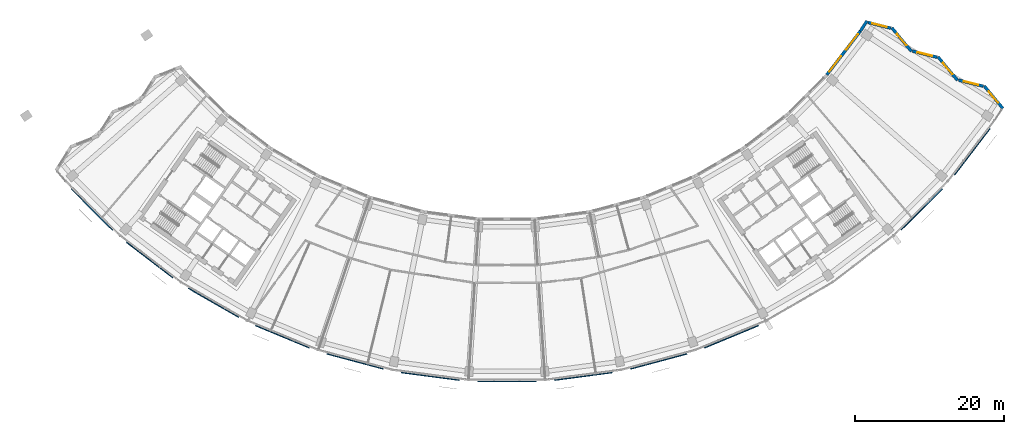
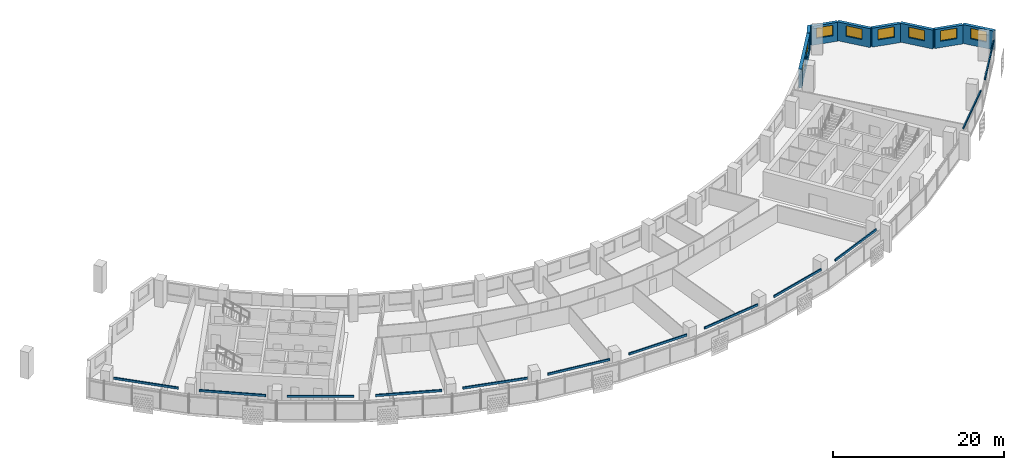
# One storey, part 8 of 26: 12 discrete accessories, 8 walls, 8 windows, 8 openings.
"""IFC4 building model written with IfcOpenShell, lengths in metres."""

from ifc_helpers import new_model, si_unit, direction, frame, frame_2d, origin, origin_2d, place, context, subcontext, project, spatial, rectangle, extrude, material, layer, layer_set, type_object, element, fill, save


model = new_model("IFC4")

# Units and contexts
model_context = context("Model", 3, precision=1e-05, world=origin(), true_north=direction((0.0, 1.0)))
body_context = subcontext(model_context, "Body", "Model", "MODEL_VIEW")
ifc_project = project(units=[si_unit("LENGTHUNIT", "METRE"), si_unit("AREAUNIT", "SQUARE_METRE"), si_unit("VOLUMEUNIT", "CUBIC_METRE"), si_unit("PLANEANGLEUNIT", "RADIAN"), si_unit("MASSUNIT", "GRAM", prefix="KILO")], contexts=[model_context])

# Site, building, storey
site_placement = place(None, origin())
site = spatial("IfcSite", under=ifc_project, at=site_placement, CompositionType="ELEMENT")
building_placement = place(site_placement, origin())
building = spatial("IfcBuilding", under=site, at=building_placement, Name="Qamariyya Broadcast Tower", CompositionType="ELEMENT")
storey_placement = place(building_placement, frame((0.0, 0.0, 160.699951171875)))
storey = spatial("IfcBuildingStorey", under=building, at=storey_placement, Name="L37", CompositionType="ELEMENT", Elevation=160.699951171875)

# Wall, opening, window
ifc_material_1 = material(Name="Terracotta", Category="masonry")
ifc_layer = layer(ifc_material_1, 0.39990234375)
ifc_layer_set = layer_set([ifc_layer], Name="Terracotta clad wall 400")
wall_type = type_object("IfcWallType", Name="Terracotta clad wall 400", PredefinedType="SOLIDWALL", material=ifc_layer_set)
wall_1_placement = place(storey_placement, frame((66.716796875, -42.191162109375, 0.0), z_axis=(0.0, 0.0, 1.0), x_axis=(-0.63942477571, 0.768853663715, 0.0)))
wall_1 = element("IfcWall", 1, at=wall_1_placement, inside=storey, type_object=wall_type, Name="e-wl-L37-capE0", PredefinedType="SOLIDWALL", context=body_context, shape_type="SweptSolid", body=[
    extrude(rectangle(XDim=3.921630859375, YDim=0.39990234375, at=frame_2d((1.9609375, 0.0))), origin(), (0.0, 0.0, 1.0), 2.699951171875),
])
opening_1_placement = place(wall_1_placement, frame((0.9609375, 0.0, 0.89990234375)))
opening_1 = element("IfcOpeningElement", 2, at=opening_1_placement, cuts=wall_1, Name="Opening W4", PredefinedType="OPENING", context=body_context, shape_type="SweptSolid", body=[
    extrude(rectangle(XDim=2.0, YDim=1.5, at=frame_2d((1.0, 0.75))), frame((0.0, 0.2099609375, 0.0), z_axis=(0.0, -1.0, 0.0), x_axis=(1.0, 0.0, 0.0)), (0.0, 0.0, 1.0), 0.419921875),
])
ifc_material_2 = material(Name="Clear low-e double glazed unit in aluminium frame", Category="aluminium")
window_type_1 = type_object("IfcWindowType", Name="Horn bay window 2000 x 1500", PartitioningType="SINGLE_PANEL", PredefinedType="WINDOW", material=ifc_material_2)
window_1_placement = place(opening_1_placement, origin())
window_1 = element("IfcWindow", 3, at=window_1_placement, inside=storey, type_object=window_type_1, Name="e-w-L37-capE0", OverallHeight=1.5, OverallWidth=2.0, PartitioningType="SINGLE_PANEL", PredefinedType="WINDOW", context=body_context, shape_type="SweptSolid", body=[
    extrude(rectangle(XDim=2.0, YDim=1.5, at=frame_2d((1.0, 0.75))), frame((0.0, 0.030029296875, 0.0), z_axis=(0.0, -1.0, 0.0), x_axis=(1.0, 0.0, 0.0)), (0.0, 0.0, 1.0), 0.06005859375),
])
fill(opening_1, window_1)

wall_2_placement = place(storey_placement, frame((64.07763671875, -39.21630859375, 0.0), z_axis=(0.0, 0.0, 1.0), x_axis=(-0.97026836176, 0.242031622249, 0.0)))
wall_2 = element("IfcWall", 4, at=wall_2_placement, inside=storey, type_object=wall_type, Name="e-wl-L37-capE1", PredefinedType="SOLIDWALL", context=body_context, shape_type="SweptSolid", body=[
    extrude(rectangle(XDim=3.41943359375, YDim=0.39990234375, at=frame_2d((1.709716796875, 0.0))), origin(), (0.0, 0.0, 1.0), 2.699951171875),
])
opening_2_placement = place(wall_2_placement, frame((0.709716796875, 0.0, 0.89990234375)))
opening_2 = element("IfcOpeningElement", 5, at=opening_2_placement, cuts=wall_2, Name="Opening W4", PredefinedType="OPENING", context=body_context, shape_type="SweptSolid", body=[
    extrude(rectangle(XDim=2.0, YDim=1.5, at=frame_2d((1.0, 0.75))), frame((0.0, 0.2099609375, 0.0), z_axis=(0.0, -1.0, 0.0), x_axis=(1.0, 0.0, 0.0)), (0.0, 0.0, 1.0), 0.419921875),
])
window_2_placement = place(opening_2_placement, origin())
window_2 = element("IfcWindow", 6, at=window_2_placement, inside=storey, type_object=window_type_1, Name="e-w-L37-capE1", OverallHeight=1.5, OverallWidth=2.0, PartitioningType="SINGLE_PANEL", PredefinedType="WINDOW", context=body_context, shape_type="SweptSolid", body=[
    extrude(rectangle(XDim=2.0, YDim=1.5, at=frame_2d((1.0, 0.75))), frame((0.0, 0.030029296875, 0.0), z_axis=(0.0, -1.0, 0.0), x_axis=(1.0, 0.0, 0.0)), (0.0, 0.0, 1.0), 0.06005859375),
])
fill(opening_2, window_2)

wall_3_placement = place(storey_placement, frame((60.628173828125, -38.428955078125, 0.0), z_axis=(0.0, 0.0, 1.0), x_axis=(-0.639546991228, 0.768752005533, 0.0)))
wall_3 = element("IfcWall", 7, at=wall_3_placement, inside=storey, type_object=wall_type, Name="e-wl-L37-capE2", PredefinedType="SOLIDWALL", context=body_context, shape_type="SweptSolid", body=[
    extrude(rectangle(XDim=4.10791015625, YDim=0.39990234375, at=frame_2d((2.053955078125, 0.0))), origin(), (0.0, 0.0, 1.0), 2.699951171875),
])
opening_3_placement = place(wall_3_placement, frame((1.053955078125, 0.0, 0.89990234375)))
opening_3 = element("IfcOpeningElement", 8, at=opening_3_placement, cuts=wall_3, Name="Opening W4", PredefinedType="OPENING", context=body_context, shape_type="SweptSolid", body=[
    extrude(rectangle(XDim=2.0, YDim=1.5, at=frame_2d((1.0, 0.75))), frame((0.0, 0.2099609375, 0.0), z_axis=(0.0, -1.0, 0.0), x_axis=(1.0, 0.0, 0.0)), (0.0, 0.0, 1.0), 0.419921875),
])
window_3_placement = place(opening_3_placement, origin())
window_3 = element("IfcWindow", 9, at=window_3_placement, inside=storey, type_object=window_type_1, Name="e-w-L37-capE2", OverallHeight=1.5, OverallWidth=2.0, PartitioningType="SINGLE_PANEL", PredefinedType="WINDOW", context=body_context, shape_type="SweptSolid", body=[
    extrude(rectangle(XDim=2.0, YDim=1.5, at=frame_2d((1.0, 0.75))), frame((0.0, 0.030029296875, 0.0), z_axis=(0.0, -1.0, 0.0), x_axis=(1.0, 0.0, 0.0)), (0.0, 0.0, 1.0), 0.06005859375),
])
fill(opening_3, window_3)

wall_4_placement = place(storey_placement, frame((57.869384765625, -35.311279296875, 0.0), z_axis=(0.0, 0.0, 1.0), x_axis=(-0.970289348791, 0.241947472857, 0.0)))
wall_4 = element("IfcWall", 10, at=wall_4_placement, inside=storey, type_object=wall_type, Name="e-wl-L37-capE3", PredefinedType="SOLIDWALL", context=body_context, shape_type="SweptSolid", body=[
    extrude(rectangle(XDim=3.418701171875, YDim=0.39990234375, at=frame_2d((1.70947265625, 0.0))), origin(), (0.0, 0.0, 1.0), 2.699951171875),
])
opening_4_placement = place(wall_4_placement, frame((0.709228515625, 0.0, 0.89990234375)))
opening_4 = element("IfcOpeningElement", 11, at=opening_4_placement, cuts=wall_4, Name="Opening W4", PredefinedType="OPENING", context=body_context, shape_type="SweptSolid", body=[
    extrude(rectangle(XDim=2.0, YDim=1.5, at=frame_2d((1.0, 0.75))), frame((0.0, 0.2099609375, 0.0), z_axis=(0.0, -1.0, 0.0), x_axis=(1.0, 0.0, 0.0)), (0.0, 0.0, 1.0), 0.419921875),
])
window_4_placement = place(opening_4_placement, origin())
window_4 = element("IfcWindow", 12, at=window_4_placement, inside=storey, type_object=window_type_1, Name="e-w-L37-capE3", OverallHeight=1.5, OverallWidth=2.0, PartitioningType="SINGLE_PANEL", PredefinedType="WINDOW", context=body_context, shape_type="SweptSolid", body=[
    extrude(rectangle(XDim=2.0, YDim=1.5, at=frame_2d((1.0, 0.75))), frame((0.0, 0.030029296875, 0.0), z_axis=(0.0, -1.0, 0.0), x_axis=(1.0, 0.0, 0.0)), (0.0, 0.0, 1.0), 0.06005859375),
])
fill(opening_4, window_4)

wall_5_placement = place(storey_placement, frame((54.420654296875, -34.5244140625, 0.0), z_axis=(0.0, 0.0, 1.0), x_axis=(-0.639599807027, 0.768708063475, 0.0)))
wall_5 = element("IfcWall", 13, at=wall_5_placement, inside=storey, type_object=wall_type, Name="e-wl-L37-capE4", PredefinedType="SOLIDWALL", context=body_context, shape_type="SweptSolid", body=[
    extrude(rectangle(XDim=4.109130859375, YDim=0.39990234375, at=frame_2d((2.0546875, 0.0))), origin(), (0.0, 0.0, 1.0), 2.699951171875),
])
opening_5_placement = place(wall_5_placement, frame((1.0546875, 0.0, 0.89990234375)))
opening_5 = element("IfcOpeningElement", 14, at=opening_5_placement, cuts=wall_5, Name="Opening W4", PredefinedType="OPENING", context=body_context, shape_type="SweptSolid", body=[
    extrude(rectangle(XDim=2.0, YDim=1.5, at=frame_2d((1.0, 0.75))), frame((0.0, 0.2099609375, 0.0), z_axis=(0.0, -1.0, 0.0), x_axis=(1.0, 0.0, 0.0)), (0.0, 0.0, 1.0), 0.419921875),
])
window_5_placement = place(opening_5_placement, origin())
window_5 = element("IfcWindow", 15, at=window_5_placement, inside=storey, type_object=window_type_1, Name="e-w-L37-capE4", OverallHeight=1.5, OverallWidth=2.0, PartitioningType="SINGLE_PANEL", PredefinedType="WINDOW", context=body_context, shape_type="SweptSolid", body=[
    extrude(rectangle(XDim=2.0, YDim=1.5, at=frame_2d((1.0, 0.75))), frame((0.0, 0.030029296875, 0.0), z_axis=(0.0, -1.0, 0.0), x_axis=(1.0, 0.0, 0.0)), (0.0, 0.0, 1.0), 0.06005859375),
])
fill(opening_5, window_5)

wall_6_placement = place(storey_placement, frame((51.660888671875, -31.406005859375, 0.0), z_axis=(0.0, 0.0, 1.0), x_axis=(-0.970323256991, 0.241811449153, 0.0)))
wall_6 = element("IfcWall", 16, at=wall_6_placement, inside=storey, type_object=wall_type, Name="e-wl-L37-capE5", PredefinedType="SOLIDWALL", context=body_context, shape_type="SweptSolid", body=[
    extrude(rectangle(XDim=3.17333984375, YDim=0.39990234375, at=frame_2d((1.586669921875, 0.0))), origin(), (0.0, 0.0, 1.0), 2.699951171875),
])
opening_6_placement = place(wall_6_placement, frame((0.586669921875, 0.0, 0.89990234375)))
opening_6 = element("IfcOpeningElement", 17, at=opening_6_placement, cuts=wall_6, Name="Opening W4", PredefinedType="OPENING", context=body_context, shape_type="SweptSolid", body=[
    extrude(rectangle(XDim=2.0, YDim=1.5, at=frame_2d((1.0, 0.75))), frame((0.0, 0.2099609375, 0.0), z_axis=(0.0, -1.0, 0.0), x_axis=(1.0, 0.0, 0.0)), (0.0, 0.0, 1.0), 0.419921875),
])
window_6_placement = place(opening_6_placement, origin())
window_6 = element("IfcWindow", 18, at=window_6_placement, inside=storey, type_object=window_type_1, Name="e-w-L37-capE5", OverallHeight=1.5, OverallWidth=2.0, PartitioningType="SINGLE_PANEL", PredefinedType="WINDOW", context=body_context, shape_type="SweptSolid", body=[
    extrude(rectangle(XDim=2.0, YDim=1.5, at=frame_2d((1.0, 0.75))), frame((0.0, 0.030029296875, 0.0), z_axis=(0.0, -1.0, 0.0), x_axis=(1.0, 0.0, 0.0)), (0.0, 0.0, 1.0), 0.06005859375),
])
fill(opening_6, window_6)

# Wall, openings, windows
wall_7_placement = place(storey_placement, frame((47.53857421875, -31.807373046875, 0.0), z_axis=(0.0, 0.0, 1.0), x_axis=(-0.608773850571, -0.793343808737, 0.0)))
wall_7 = element("IfcWall", 19, at=wall_7_placement, inside=storey, type_object=wall_type, Name="e-wl-L37-in140", PredefinedType="SOLIDWALL", context=body_context, shape_type="SweptSolid", body=[
    extrude(rectangle(XDim=7.3955078125, YDim=0.39990234375, at=frame_2d((3.69775390625, 0.0))), origin(), (0.0, 0.0, 1.0), 2.699951171875),
])
opening_7_placement = place(wall_7_placement, frame((4.269287109375, 0.0, 0.89990234375)))
opening_7 = element("IfcOpeningElement", 20, at=opening_7_placement, cuts=wall_7, Name="Opening W1", PredefinedType="OPENING", context=body_context, shape_type="SweptSolid", body=[
    extrude(rectangle(XDim=2.60009765625, YDim=1.64990234375, at=frame_2d((1.300048828125, 0.824951171875))), frame((0.0, 0.2099609375, 0.0), z_axis=(0.0, -1.0, 0.0), x_axis=(1.0, 0.0, 0.0)), (0.0, 0.0, 1.0), 0.419921875),
])
opening_8_placement = place(wall_7_placement, frame((0.541259765625, 0.0, 0.89990234375)))
opening_8 = element("IfcOpeningElement", 21, at=opening_8_placement, cuts=wall_7, Name="Opening W1", PredefinedType="OPENING", context=body_context, shape_type="SweptSolid", body=[
    extrude(rectangle(XDim=2.60009765625, YDim=1.64990234375, at=frame_2d((1.300048828125, 0.824951171875))), frame((0.0, 0.2099609375, 0.0), z_axis=(0.0, -1.0, 0.0), x_axis=(1.0, 0.0, 0.0)), (0.0, 0.0, 1.0), 0.419921875),
])
window_type_2 = type_object("IfcWindowType", Name="Ribbon window 2600 x 1650", PartitioningType="SINGLE_PANEL", PredefinedType="WINDOW", material=ifc_material_2)
window_7_placement = place(opening_7_placement, origin())
window_7 = element("IfcWindow", 22, at=window_7_placement, inside=storey, type_object=window_type_2, Name="e-w-L37-in14-0", OverallHeight=1.64990234375, OverallWidth=2.60009765625, PartitioningType="SINGLE_PANEL", PredefinedType="WINDOW", context=body_context, shape_type="SweptSolid", body=[
    extrude(rectangle(XDim=2.60009765625, YDim=1.64990234375, at=frame_2d((1.300048828125, 0.824951171875))), frame((0.0, 0.030029296875, 0.0), z_axis=(0.0, -1.0, 0.0), x_axis=(1.0, 0.0, 0.0)), (0.0, 0.0, 1.0), 0.06005859375),
])
fill(opening_7, window_7)
window_8_placement = place(opening_8_placement, origin())
window_8 = element("IfcWindow", 23, at=window_8_placement, inside=storey, type_object=window_type_2, Name="e-w-L37-in14-1", OverallHeight=1.64990234375, OverallWidth=2.60009765625, PartitioningType="SINGLE_PANEL", PredefinedType="WINDOW", context=body_context, shape_type="SweptSolid", body=[
    extrude(rectangle(XDim=2.60009765625, YDim=1.64990234375, at=frame_2d((1.300048828125, 0.824951171875))), frame((0.0, 0.030029296875, 0.0), z_axis=(0.0, -1.0, 0.0), x_axis=(1.0, 0.0, 0.0)), (0.0, 0.0, 1.0), 0.06005859375),
])
fill(opening_8, window_8)

# Wall
wall_8_placement = place(storey_placement, frame((48.44189453125, -30.41845703125, 0.0), z_axis=(0.0, 0.0, 1.0), x_axis=(-0.54397886078, -0.839098920881, 0.0)))
element("IfcWall", 24, at=wall_8_placement, inside=storey, type_object=wall_type, Name="e-wl-L37-in150", PredefinedType="SOLIDWALL", context=body_context, shape_type="SweptSolid", body=[
    extrude(rectangle(XDim=1.641357421875, YDim=0.39990234375, at=frame_2d((0.82080078125, 0.0))), origin(), (0.0, 0.0, 1.0), 2.699951171875),
])

# Discrete accessories
ifc_material_3 = material(Name="Stainless steel 316", Category="steel")
discrete_accessory_type = type_object("IfcDiscreteAccessoryType", Name="Slab edge fixing angle, stainless steel", PredefinedType="BRACKET", material=ifc_material_3)
for number, where, z_axis, x_axis, name in (
    (25, (-55.794921875, -55.794921875, 3.2998046875), (0.0, 0.0, 1.0), (0.707106781187, -0.707106781187, 0.0), "e-br-L37-01-0"),
    (26, (-48.034912109375, -62.600341796875, 3.2998046875), (0.0, 0.0, 1.0), (0.793353340291, -0.608761429009, 0.0), "e-br-L37-02-0"),
    (27, (-39.452880859375, -68.33447265625, 3.2998046875), (0.0, 0.0, 1.0), (0.866025403784, -0.5, 0.0), "e-br-L37-03-0"),
    (28, (-30.196044921875, -72.8994140625, 3.2998046875), (0.0, 0.0, 1.0), (0.923879532511, -0.382683432365, 0.0), "e-br-L37-04-0"),
    (29, (-20.42236328125, -76.21728515625, 3.2998046875), (0.0, 0.0, 1.0), (0.965925826289, -0.258819045103, 0.0), "e-br-L37-05-0"),
    (30, (-10.29931640625, -78.230712890625, 3.2998046875), (0.0, 0.0, 1.0), (0.991444861374, -0.13052619222, 0.0), "e-br-L37-06-0"),
    (31, (0.0, -78.90576171875, 3.2998046875), (0.0, 0.0, 1.0), (1.0, 0.0, 0.0), "e-br-L37-07-0"),
    (32, (10.29931640625, -78.230712890625, 3.2998046875), (0.0, 0.0, 1.0), (0.991444861374, 0.13052619222, 0.0), "e-br-L37-08-0"),
    (33, (20.42236328125, -76.21728515625, 3.2998046875), (0.0, 0.0, 1.0), (0.965925826289, 0.258819045103, 0.0), "e-br-L37-09-0"),
    (34, (30.196044921875, -72.8994140625, 3.2998046875), (0.0, 0.0, 1.0), (0.923879532511, 0.382683432365, 0.0), "e-br-L37-10-0"),
    (35, (55.794921875, -55.794921875, 3.2998046875), (0.0, 0.0, 1.0), (0.707106781187, 0.707106781187, 0.0), "e-br-L37-13-0"),
    (36, (62.600341796875, -48.034912109375, 3.2998046875), (0.0, 0.0, 1.0), (0.608761429009, 0.793353340291, 0.0), "e-br-L37-14-0"),
):
    element("IfcDiscreteAccessory", number, at=place(storey_placement, frame(where, z_axis=z_axis, x_axis=x_axis)), inside=storey, type_object=discrete_accessory_type, Name=name, PredefinedType="BRACKET", context=body_context, shape_type="SweptSolid", body=[
        extrude(rectangle(XDim=7.850341796875, YDim=0.14990234375, at=origin_2d()), origin(), (0.0, 0.0, 1.0), 0.300048828125),
    ])

save(model, "model.ifc")
